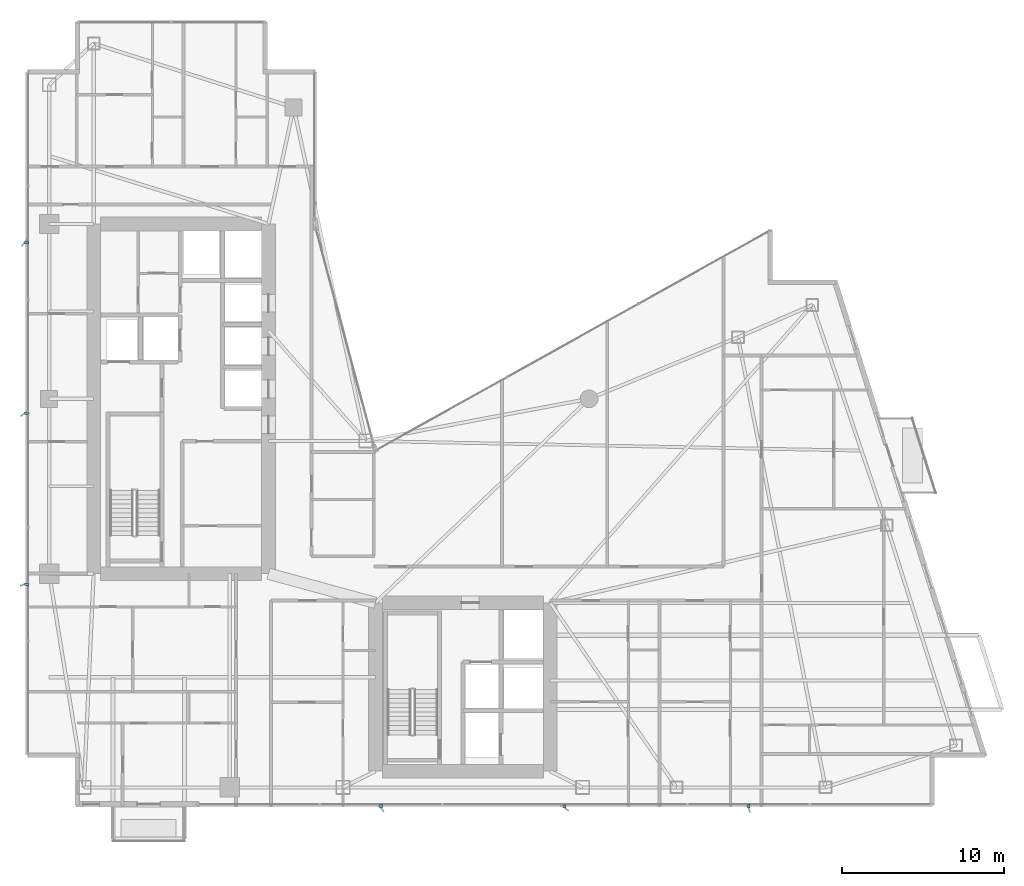
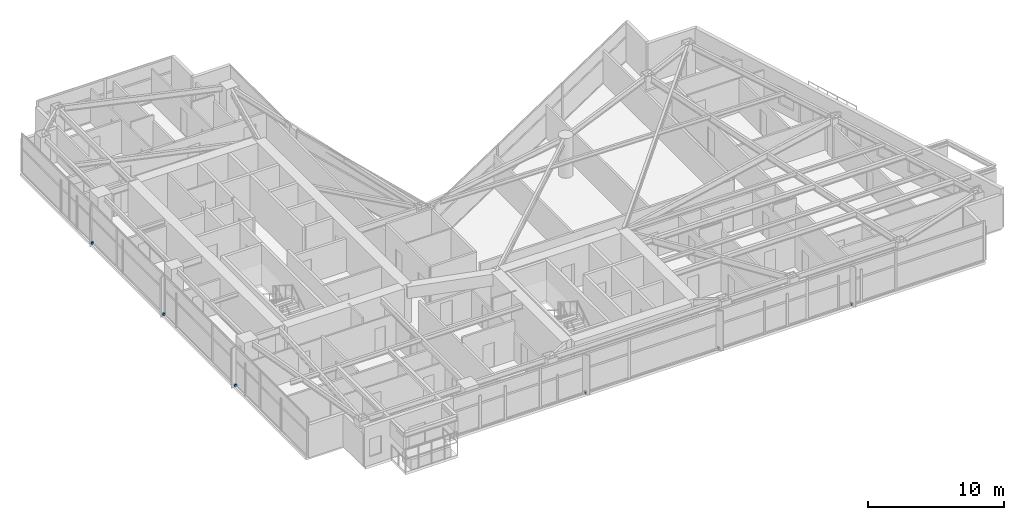
# One storey, part 27 of 29: 6 discrete accessories.
"""IFC4 building model written with IfcOpenShell, lengths in metres."""

import ifcopenshell
import ifcopenshell.guid

model = None  # the IFC model being written
_history = None  # IfcOwnerHistory: only IFC2X3 demands one
_inside = {}  # id of a spatial element -> (the spatial element, [elements in it])
_under = {}  # id of a project, library or spatial element -> (it, [spatial elements below it])
_declared = {}  # id of a project -> (the project, [libraries it declares])
_typed = {}  # id of a type object -> (the type object, [elements of that type])
_made_of = {}  # id of a material, layer set ... -> (it, [elements and type objects made of it])


def new_model(schema):
    """Start an empty IFC model of exactly this schema.

    Asked for "IFC4X3", IfcOpenShell would pick the latest addendum, in which some entities
    have other attributes; the version numbers below select the first issue.
    IFC2X3 requires an IfcOwnerHistory on every rooted entity: one is made here for all.
    """
    global model, _history
    if schema == "IFC4X3":
        model = ifcopenshell.file(schema_version=(4, 3, 0, 0))
    else:
        model = ifcopenshell.file(schema=schema)
    _inside.clear()
    _under.clear()
    _declared.clear()
    _typed.clear()
    _made_of.clear()
    _history = None
    if model.schema == "IFC2X3":
        org = make("IfcOrganization", Name="unknown")
        user = make(
            "IfcPersonAndOrganization",
            ThePerson=make("IfcPerson", FamilyName="unknown"),
            TheOrganization=org,
        )
        app = make(
            "IfcApplication",
            ApplicationDeveloper=org,
            Version="unknown",
            ApplicationFullName="unknown",
            ApplicationIdentifier="unknown",
        )
        _history = make(
            "IfcOwnerHistory",
            OwningUser=user,
            OwningApplication=app,
            ChangeAction="ADDED",
            CreationDate=0,
        )
    return model


def make(cls, **values):
    """One entity of the class cls with the attributes given. An attribute that is None is left unset."""
    return model.create_entity(
        cls, **{name: value for name, value in values.items() if value is not None}
    )


def rooted(cls, **values):
    """An entity with a GlobalId (a new one), such as an element, a storey or a relation."""
    return make(cls, GlobalId=ifcopenshell.guid.new(), OwnerHistory=_history, **values)


def si_unit(unit_type, name, prefix=None):
    """IfcSIUnit, for example si_unit("LENGTHUNIT", "METRE", prefix="MILLI")."""
    return make("IfcSIUnit", UnitType=unit_type, Prefix=prefix, Name=name)


def assignment(units):
    """IfcUnitAssignment: the units of a project."""
    return None if units is None else make("IfcUnitAssignment", Units=units)


def point(xyz):
    """IfcCartesianPoint."""
    return None if xyz is None else make("IfcCartesianPoint", Coordinates=xyz)


def direction(xyz):
    """IfcDirection."""
    return None if xyz is None else make("IfcDirection", DirectionRatios=xyz)


def frame(location, z_axis=None, x_axis=None):
    """IfcAxis2Placement3D, a coordinate frame: its origin and axes. An axis left out is left unset."""
    return make(
        "IfcAxis2Placement3D",
        Location=point(location),
        Axis=direction(z_axis),
        RefDirection=direction(x_axis),
    )


def frame_2d(location, x_axis=None):
    """IfcAxis2Placement2D, a coordinate frame in the plane: its origin and x axis."""
    return make(
        "IfcAxis2Placement2D", Location=point(location), RefDirection=direction(x_axis)
    )


def origin():
    """The frame at (0, 0, 0) with its axes left unset."""
    return frame((0.0, 0.0, 0.0))


def origin_2d():
    """The frame at (0, 0) in the plane with its x axis left unset."""
    return frame_2d((0.0, 0.0))


def place(relative_to, where):
    """IfcLocalPlacement: puts the frame where relative to a parent placement (None: the world)."""
    return make(
        "IfcLocalPlacement", PlacementRelTo=relative_to, RelativePlacement=where
    )


def context(
    kind, dimensions, precision=None, world=None, true_north=None, identifier=None
):
    """IfcGeometricRepresentationContext, for example the 3D "Model" context."""
    return make(
        "IfcGeometricRepresentationContext",
        ContextIdentifier=identifier,
        ContextType=kind,
        CoordinateSpaceDimension=dimensions,
        Precision=precision,
        WorldCoordinateSystem=world,
        TrueNorth=true_north,
    )


def subcontext(parent, identifier, kind, view, scale=None):
    """IfcGeometricRepresentationSubContext, for example "Body" below "Model"."""
    return make(
        "IfcGeometricRepresentationSubContext",
        ContextIdentifier=identifier,
        ContextType=kind,
        ParentContext=parent,
        TargetScale=scale,
        TargetView=view,
    )


def project(units=None, contexts=None):
    """IfcProject with its units and contexts."""
    return rooted(
        "IfcProject",
        Name="project",
        RepresentationContexts=contexts,
        UnitsInContext=assignment(units),
    )


def spatial(cls, under=None, at=None, **own):
    """A site, building, storey or space (cls), placed at a placement, below another one or the project."""
    s = rooted(cls, ObjectPlacement=at, **own)
    if under is not None:
        _under.setdefault(under.id(), (under, []))[1].append(s)
    return s


def profile(cls, at=None, kind="AREA", **sizes):
    """A parametric profile (cls). Its sizes go by their IFC names, for example OverallWidth=200.0."""
    return make(cls, ProfileType=kind, Position=at, **sizes)


def rectangle(**sizes):
    """IfcRectangleProfileDef."""
    return profile("IfcRectangleProfileDef", **sizes)


def extrude(swept, where, along, depth):
    """IfcExtrudedAreaSolid: the profile swept, set in the frame where, extruded along a direction by depth."""
    return make(
        "IfcExtrudedAreaSolid",
        SweptArea=swept,
        Position=where,
        ExtrudedDirection=direction(along),
        Depth=depth,
    )


def shape(context_of_items, identifier, shape_type, items):
    """IfcShapeRepresentation: the items that make up one representation, for example the "Body"."""
    return make(
        "IfcShapeRepresentation",
        ContextOfItems=context_of_items,
        RepresentationIdentifier=identifier,
        RepresentationType=shape_type,
        Items=items,
    )


def material(Name=None, Category=None):
    """IfcMaterial."""
    return make("IfcMaterial", Name=Name, Category=Category)


def made_of(thing, what):
    """Note that an element or type object is made of a material, layer set ...; save() writes the relation."""
    if what is not None:
        _made_of.setdefault(what.id(), (what, []))[1].append(thing)
    return thing


def type_object(cls, material=None, **own):
    """A type object (cls), such as IfcWallType, which elements share."""
    return made_of(rooted(cls, **own), material)


def element(
    cls,
    number,
    at=None,
    inside=None,
    cuts=None,
    type_object=None,
    material=None,
    context=None,
    identifier="Body",
    shape_type=None,
    held_by="IfcProductDefinitionShape",
    body=None,
    shapes=None,
    **own,
):
    """One element of the class cls, such as IfcWall. Its Tag is "e" and its number.

    at: its placement. inside: the storey or other place that contains it. cuts: it is an
    opening in that element (IfcRelVoidsElement). A single representation is given by context,
    identifier, shape_type and body (its items); several are given by shapes. held_by: the class
    of the entity that holds the representations. save() writes the other relations.
    """
    e = rooted(cls, Tag="e%d" % number, ObjectPlacement=at, **own)
    if body is not None:
        shapes = [shape(context, identifier, shape_type, body)]
    if shapes is not None:
        e.Representation = make(held_by, Representations=shapes)
    if inside is not None:
        _inside.setdefault(inside.id(), (inside, []))[1].append(e)
    if cuts is not None:
        rooted(
            "IfcRelVoidsElement", RelatingBuildingElement=cuts, RelatedOpeningElement=e
        )
    if type_object is not None:
        _typed.setdefault(type_object.id(), (type_object, []))[1].append(e)
    return made_of(e, material)


def aggregate(whole, parts):
    """IfcRelAggregates: a whole, such as a stair, and the parts it consists of."""
    return rooted("IfcRelAggregates", RelatingObject=whole, RelatedObjects=parts)


def save(model, path):
    """Write the relations noted so far, then the file.

    IfcRelAggregates (storeys below a building ...), IfcRelContainedInSpatialStructure (elements
    in a storey), IfcRelDefinesByType, IfcRelAssociatesMaterial and IfcRelDeclares: one each for
    every whole, place, type object, material and project.
    """
    for whole, parts in _under.values():
        aggregate(whole, parts)
    for where, things in _inside.values():
        rooted(
            "IfcRelContainedInSpatialStructure",
            RelatedElements=things,
            RelatingStructure=where,
        )
    for kind, things in _typed.values():
        rooted("IfcRelDefinesByType", RelatedObjects=things, RelatingType=kind)
    for what, things in _made_of.values():
        rooted("IfcRelAssociatesMaterial", RelatedObjects=things, RelatingMaterial=what)
    for by, libraries in _declared.values():
        rooted("IfcRelDeclares", RelatingContext=by, RelatedDefinitions=libraries)
    model.write(path)


model = new_model("IFC4")

# Units and contexts
model_context = context("Model", 3, precision=1e-05, world=origin(), true_north=direction((0.0, 1.0)))
body_context = subcontext(model_context, "Body", "Model", "MODEL_VIEW")
ifc_project = project(units=[si_unit("LENGTHUNIT", "METRE"), si_unit("AREAUNIT", "SQUARE_METRE"), si_unit("VOLUMEUNIT", "CUBIC_METRE"), si_unit("PLANEANGLEUNIT", "RADIAN"), si_unit("MASSUNIT", "GRAM", prefix="KILO")], contexts=[model_context])

# Site, building, storey
site_placement = place(None, origin())
site = spatial("IfcSite", under=ifc_project, at=site_placement, CompositionType="ELEMENT")
building_placement = place(site_placement, origin())
building = spatial("IfcBuilding", under=site, at=building_placement, Name="Calvorn Quay Hotel", CompositionType="ELEMENT")
storey_placement = place(building_placement, frame((0.0, 0.0, 163.699951171875)))
storey = spatial("IfcBuildingStorey", under=building, at=storey_placement, Name="L40", CompositionType="ELEMENT", Elevation=163.699951171875)

# Discrete accessories
ifc_material = material(Name="Steel Q355B", Category="steel")
discrete_accessory_type = type_object("IfcDiscreteAccessoryType", Name="ACC-FIN-BRACKET", PredefinedType="BRACKET", material=ifc_material)
for number, where, z_axis, x_axis, name in (
    (1, (0.06005859375, 16.14990234375, 0.0302734375), (0.0, 0.0, 1.0), (1.0, 0.0, 0.0), "Fin Anchor Bracket L40-W01"),
    (2, (0.06005859375, 26.699951171875, 0.0302734375), (0.0, 0.0, 1.0), (1.0, 0.0, 0.0), "Fin Anchor Bracket L40-W02"),
    (3, (0.06005859375, 37.25, 0.0302734375), (0.0, 0.0, 1.0), (1.0, 0.0, 0.0), "Fin Anchor Bracket L40-W03"),
    (4, (21.949951171875, 2.4599609375, 0.0302734375), (0.0, 0.0, 1.0), (0.0, 1.0, 0.0), "Fin Anchor Bracket L40-S01"),
    (5, (33.300048828125, 2.4599609375, 0.0302734375), (0.0, 0.0, 1.0), (0.0, 1.0, 0.0), "Fin Anchor Bracket L40-S02"),
    (6, (44.64990234375, 2.4599609375, 0.0302734375), (0.0, 0.0, 1.0), (0.0, 1.0, 0.0), "Fin Anchor Bracket L40-S03"),
):
    element("IfcDiscreteAccessory", number, at=place(storey_placement, frame(where, z_axis=z_axis, x_axis=x_axis)), inside=storey, type_object=discrete_accessory_type, Name=name, PredefinedType="BRACKET", context=body_context, shape_type="SweptSolid", body=[
        extrude(rectangle(XDim=0.239990234375, YDim=0.159912109375, at=origin_2d()), origin(), (0.0, 0.0, 1.0), 0.179931640625),
    ])

save(model, "model.ifc")
